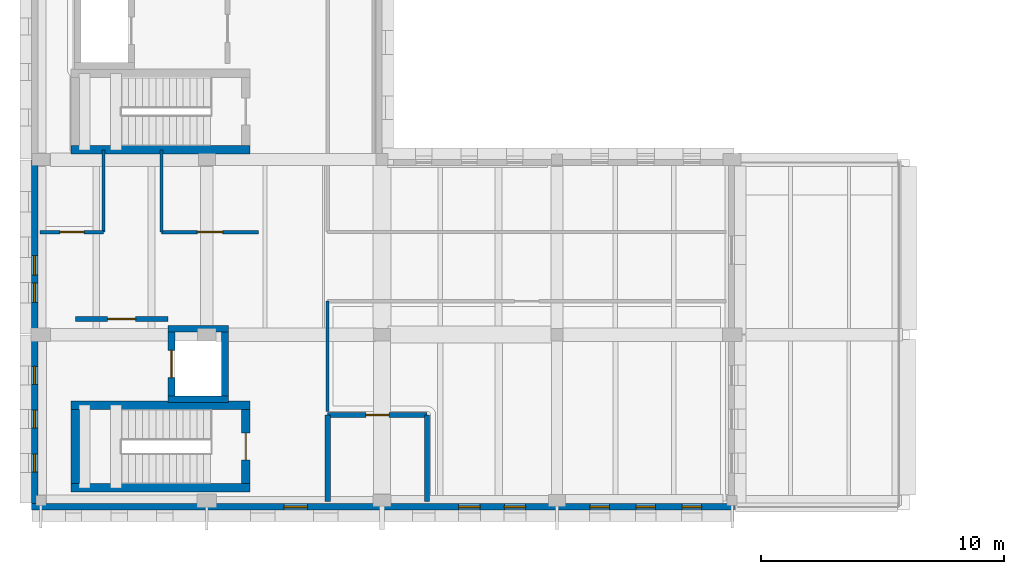
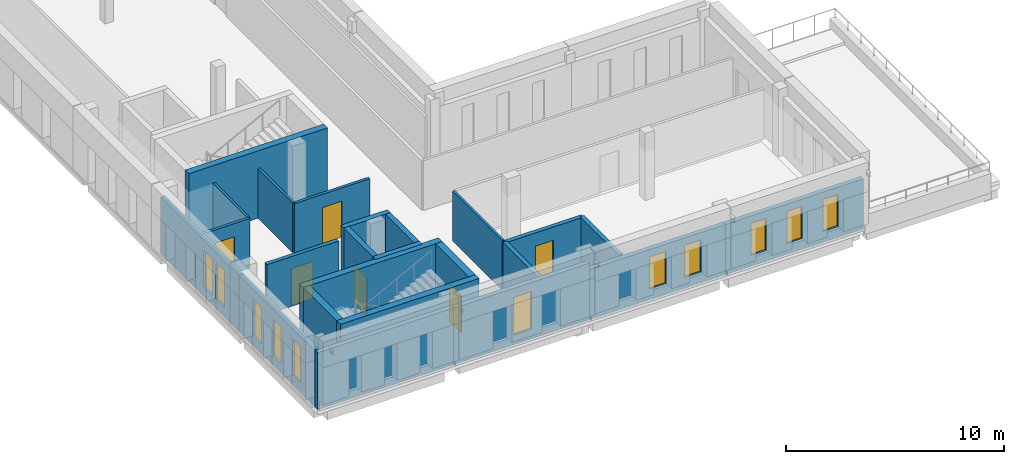
# One storey, part 9 of 15: 24 walls, 11 windows, 6 doors, 17 openings.
"""IFC4 building model written with IfcOpenShell, lengths in metres."""

from ifc_helpers import new_model, si_unit, direction, frame, frame_2d, origin, place, context, subcontext, project, spatial, rectangle, extrude, material, layer, layer_set, type_object, element, fill, save


model = new_model("IFC4")

# Units and contexts
model_context = context("Model", 3, precision=1e-05, world=origin(), true_north=direction((0.0, 1.0)))
body_context = subcontext(model_context, "Body", "Model", "MODEL_VIEW")
ifc_project = project(units=[si_unit("LENGTHUNIT", "METRE"), si_unit("AREAUNIT", "SQUARE_METRE"), si_unit("VOLUMEUNIT", "CUBIC_METRE"), si_unit("PLANEANGLEUNIT", "RADIAN"), si_unit("MASSUNIT", "GRAM", prefix="KILO")], contexts=[model_context])

# Site, building, storey
site_placement = place(None, origin())
site = spatial("IfcSite", under=ifc_project, at=site_placement, CompositionType="ELEMENT")
building_placement = place(site_placement, origin())
building = spatial("IfcBuilding", under=site, at=building_placement, Name="Vardoun Plaza Health Centre", CompositionType="ELEMENT")
storey_placement = place(building_placement, frame((0.0, 0.0, 17.10009765625)))
storey = spatial("IfcBuildingStorey", under=building, at=storey_placement, Name="L04", CompositionType="ELEMENT", Elevation=17.10009765625)

# Wall
ifc_material_1 = material(Name="Concrete C40/50", Category="concrete")
ifc_layer_1 = layer(ifc_material_1, 0.27001953125)
ifc_layer_set_1 = layer_set([ifc_layer_1], Name="Concrete C40/50")
wall_type_1 = type_object("IfcWallType", Name="SW-03", PredefinedType="SHEAR", material=ifc_layer_set_1)
wall_1_placement = place(storey_placement, frame((12.5849609375, 9.050048828125, 0.0), z_axis=(0.0, 0.0, 1.0), x_axis=(-1.0, 0.0, 0.0)))
element("IfcWall", 1, at=wall_1_placement, inside=storey, type_object=wall_type_1, Name="Lift LF-01 L04 Shaft Wall S", PredefinedType="SHEAR", context=body_context, shape_type="SweptSolid", body=[
    extrude(rectangle(XDim=2.469970703125, YDim=0.27001953125, at=frame_2d((1.23486328125, 0.0))), origin(), (0.0, 0.0, 1.0), 3.77001953125),
])

# Wall, opening, door
wall_2_placement = place(storey_placement, frame((10.25, 9.18505859375, 0.0), z_axis=(0.0, 0.0, 1.0), x_axis=(0.0, 1.0, 0.0)))
wall_2 = element("IfcWall", 2, at=wall_2_placement, inside=storey, type_object=wall_type_1, Name="Lift LF-01 L04 Shaft Wall W", PredefinedType="SHEAR", context=body_context, shape_type="SweptSolid", body=[
    extrude(rectangle(XDim=2.6298828125, YDim=0.27001953125, at=frame_2d((1.31494140625, 0.0))), origin(), (0.0, 0.0, 1.0), 3.77001953125),
])
opening_1_placement = place(wall_2_placement, frame((0.7548828125, 0.0, 0.0)))
opening_1 = element("IfcOpeningElement", 3, at=opening_1_placement, cuts=wall_2, Name="Opening LD-LF-01-L04", PredefinedType="OPENING", context=body_context, shape_type="SweptSolid", body=[
    extrude(rectangle(XDim=1.1201171875, YDim=2.10009765625, at=frame_2d((0.56005859375, 1.050048828125))), frame((0.0, 0.135009765625, 0.0), z_axis=(0.0, -1.0, 0.0), x_axis=(1.0, 0.0, 0.0)), (0.0, 0.0, 1.0), 0.27001953125),
])
ifc_material_2 = material(Name="Brushed Stainless Steel Grade 316L", Category="steel")
door_type_1 = type_object("IfcDoorType", Name="LD-01", OperationType="DOUBLE_DOOR_SLIDING", PredefinedType="DOOR", material=ifc_material_2)
door_1_placement = place(opening_1_placement, origin())
door_1 = element("IfcDoor", 4, at=door_1_placement, inside=storey, type_object=door_type_1, Name="Lift LF-01 L04 Sliding Landing Door", OperationType="DOUBLE_DOOR_SLIDING", OverallHeight=2.10009765625, OverallWidth=1.1201171875, PredefinedType="DOOR", context=body_context, shape_type="SweptSolid", body=[
    extrude(rectangle(XDim=1.1201171875, YDim=2.10009765625, at=frame_2d((0.56005859375, 1.050048828125))), frame((0.0, 0.02490234375, 0.0), z_axis=(0.0, -1.0, 0.0), x_axis=(1.0, 0.0, 0.0)), (0.0, 0.0, 1.0), 0.050048828125),
])
fill(opening_1, door_1)

# Walls
wall_3_placement = place(storey_placement, frame((10.114990234375, 11.949951171875, 0.0), z_axis=(0.0, 0.0, 1.0), x_axis=(1.0, 0.0, 0.0)))
element("IfcWall", 5, at=wall_3_placement, inside=storey, type_object=wall_type_1, Name="Lift LF-01 L04 Shaft Wall N", PredefinedType="SHEAR", context=body_context, shape_type="SweptSolid", body=[
    extrude(rectangle(XDim=2.469970703125, YDim=0.27001953125, at=frame_2d((1.23486328125, 0.0))), origin(), (0.0, 0.0, 1.0), 3.77001953125),
])
wall_4_placement = place(storey_placement, frame((12.449951171875, 11.81494140625, 0.0), z_axis=(0.0, 0.0, 1.0), x_axis=(0.0, -1.0, 0.0)))
element("IfcWall", 6, at=wall_4_placement, inside=storey, type_object=wall_type_1, Name="Lift LF-01 L04 Shaft Wall E", PredefinedType="SHEAR", context=body_context, shape_type="SweptSolid", body=[
    extrude(rectangle(XDim=2.6298828125, YDim=0.27001953125, at=frame_2d((1.31494140625, 0.0))), origin(), (0.0, 0.0, 1.0), 3.77001953125),
])
ifc_material_3 = material(Name="Concrete C40/50", Category="concrete")
ifc_layer_2 = layer(ifc_material_3, 0.35009765625)
ifc_layer_set_2 = layer_set([ifc_layer_2], Name="Concrete C40/50")
wall_type_2 = type_object("IfcWallType", Name="SW-02", PredefinedType="SHEAR", material=ifc_layer_set_2)
wall_5_placement = place(storey_placement, frame((13.47509765625, 5.39990234375, 0.0), z_axis=(0.0, 0.0, 1.0), x_axis=(-1.0, 0.0, 0.0)))
element("IfcWall", 7, at=wall_5_placement, inside=storey, type_object=wall_type_2, Name="Core C1 L04 Shear Wall S", PredefinedType="SHEAR", context=body_context, shape_type="SweptSolid", body=[
    extrude(rectangle(XDim=7.35009765625, YDim=0.35009765625, at=frame_2d((3.675048828125, 0.0))), origin(), (0.0, 0.0, 1.0), 3.77001953125),
])
wall_6_placement = place(storey_placement, frame((6.300048828125, 5.574951171875, 0.0), z_axis=(0.0, 0.0, 1.0), x_axis=(0.0, 1.0, 0.0)))
element("IfcWall", 8, at=wall_6_placement, inside=storey, type_object=wall_type_2, Name="Core C1 L04 Shear Wall W", PredefinedType="SHEAR", context=body_context, shape_type="SweptSolid", body=[
    extrude(rectangle(XDim=3.050048828125, YDim=0.35009765625, at=frame_2d((1.52490234375, 0.0))), origin(), (0.0, 0.0, 1.0), 3.77001953125),
])
wall_7_placement = place(storey_placement, frame((6.125, 8.800048828125, 0.0), z_axis=(0.0, 0.0, 1.0), x_axis=(1.0, 0.0, 0.0)))
element("IfcWall", 9, at=wall_7_placement, inside=storey, type_object=wall_type_2, Name="Core C1 L04 Shear Wall N", PredefinedType="SHEAR", context=body_context, shape_type="SweptSolid", body=[
    extrude(rectangle(XDim=7.35009765625, YDim=0.35009765625, at=frame_2d((3.675048828125, 0.0))), origin(), (0.0, 0.0, 1.0), 3.77001953125),
])

# Wall, opening, door
wall_8_placement = place(storey_placement, frame((13.300048828125, 8.625, 0.0), z_axis=(0.0, 0.0, 1.0), x_axis=(0.0, -1.0, 0.0)))
wall_8 = element("IfcWall", 10, at=wall_8_placement, inside=storey, type_object=wall_type_2, Name="Core C1 L04 Shear Wall E", PredefinedType="SHEAR", context=body_context, shape_type="SweptSolid", body=[
    extrude(rectangle(XDim=3.050048828125, YDim=0.35009765625, at=frame_2d((1.52490234375, 0.0))), origin(), (0.0, 0.0, 1.0), 3.77001953125),
])
opening_2_placement = place(wall_8_placement, frame((0.97509765625, 0.0, 0.0)))
opening_2 = element("IfcOpeningElement", 11, at=opening_2_placement, cuts=wall_8, Name="Opening SD-C1-L04", PredefinedType="OPENING", context=body_context, shape_type="SweptSolid", body=[
    extrude(rectangle(XDim=1.10009765625, YDim=2.050048828125, at=frame_2d((0.550048828125, 1.02490234375))), frame((0.0, 0.175048828125, 0.0), z_axis=(0.0, -1.0, 0.0), x_axis=(1.0, 0.0, 0.0)), (0.0, 0.0, 1.0), 0.35009765625),
])
ifc_material_4 = material(Name="Brushed Stainless Steel Grade 316L", Category="steel")
door_type_2 = type_object("IfcDoorType", Name="FD-01", OperationType="NOTDEFINED", PredefinedType="DOOR", material=ifc_material_4)
door_2_placement = place(opening_2_placement, origin())
door_2 = element("IfcDoor", 12, at=door_2_placement, inside=storey, type_object=door_type_2, Name="Stair C1 L04 Fire Door", OperationType="SINGLE_SWING_LEFT", OverallHeight=2.050048828125, OverallWidth=1.10009765625, PredefinedType="DOOR", context=body_context, shape_type="SweptSolid", body=[
    extrude(rectangle(XDim=1.10009765625, YDim=2.050048828125, at=frame_2d((0.550048828125, 1.02490234375))), frame((0.0, 0.02490234375, 0.0), z_axis=(0.0, -1.0, 0.0), x_axis=(1.0, 0.0, 0.0)), (0.0, 0.0, 1.0), 0.050048828125),
])
fill(opening_2, door_2)

# Wall
wall_9_placement = place(storey_placement, frame((13.47509765625, 19.300048828125, 0.0), z_axis=(0.0, 0.0, 1.0), x_axis=(-1.0, 0.0, 0.0)))
element("IfcWall", 13, at=wall_9_placement, inside=storey, type_object=wall_type_2, Name="Core C2 L04 Shear Wall S", PredefinedType="SHEAR", context=body_context, shape_type="SweptSolid", body=[
    extrude(rectangle(XDim=7.35009765625, YDim=0.35009765625, at=frame_2d((3.675048828125, 0.0))), origin(), (0.0, 0.0, 1.0), 3.77001953125),
])

# Wall, openings, windows
ifc_material_5 = material(Name="Pale Limestone Concrete C35/45", Category="masonry")
ifc_layer_3 = layer(ifc_material_5, 0.25)
ifc_layer_set_3 = layer_set([ifc_layer_3], Name="Pale Limestone Concrete C35/45")
wall_type_3 = type_object("IfcWallType", Name="EW-07", PredefinedType="STANDARD", material=ifc_layer_set_3)
wall_10_placement = place(storey_placement, frame((33.39990234375, 4.625, 0.0), z_axis=(0.0, 0.0, 1.0), x_axis=(-1.0, 0.0, 0.0)))
wall_10 = element("IfcWall", 14, at=wall_10_placement, inside=storey, type_object=wall_type_3, Name="V2 L04 Exterior Wall EW-V2-188", PredefinedType="STANDARD", context=body_context, shape_type="SweptSolid", body=[
    extrude(rectangle(XDim=7.2998046875, YDim=0.25, at=frame_2d((3.64990234375, 0.0))), origin(), (0.0, 0.0, 1.0), 2.804931640625),
])
opening_3_placement = place(wall_10_placement, frame((1.35205078125, 0.0, 0.60009765625)))
opening_3 = element("IfcOpeningElement", 15, at=opening_3_placement, cuts=wall_10, Name="Opening W-27-011", PredefinedType="OPENING", context=body_context, shape_type="SweptSolid", body=[
    extrude(rectangle(XDim=0.800048828125, YDim=1.800048828125, at=frame_2d((0.39990234375, 0.89990234375))), frame((0.0, 0.125, 0.0), z_axis=(0.0, -1.0, 0.0), x_axis=(1.0, 0.0, 0.0)), (0.0, 0.0, 1.0), 0.25),
])
opening_4_placement = place(wall_10_placement, frame((3.25, 0.0, 0.60009765625)))
opening_4 = element("IfcOpeningElement", 16, at=opening_4_placement, cuts=wall_10, Name="Opening W-27-012", PredefinedType="OPENING", context=body_context, shape_type="SweptSolid", body=[
    extrude(rectangle(XDim=0.800048828125, YDim=1.800048828125, at=frame_2d((0.39990234375, 0.89990234375))), frame((0.0, 0.125, 0.0), z_axis=(0.0, -1.0, 0.0), x_axis=(1.0, 0.0, 0.0)), (0.0, 0.0, 1.0), 0.25),
])
opening_5_placement = place(wall_10_placement, frame((5.14794921875, 0.0, 0.60009765625)))
opening_5 = element("IfcOpeningElement", 17, at=opening_5_placement, cuts=wall_10, Name="Opening W-27-013", PredefinedType="OPENING", context=body_context, shape_type="SweptSolid", body=[
    extrude(rectangle(XDim=0.800048828125, YDim=1.800048828125, at=frame_2d((0.39990234375, 0.89990234375))), frame((0.0, 0.125, 0.0), z_axis=(0.0, -1.0, 0.0), x_axis=(1.0, 0.0, 0.0)), (0.0, 0.0, 1.0), 0.25),
])
ifc_material_6 = material(Name="Aluminium Alloy EN AW-6063-T6 and Low-E Glass", Category="aluminium")
window_type_1 = type_object("IfcWindowType", Name="W-27", PartitioningType="SINGLE_PANEL", PredefinedType="WINDOW", material=ifc_material_6)
window_1_placement = place(opening_3_placement, origin())
window_1 = element("IfcWindow", 18, at=window_1_placement, inside=storey, type_object=window_type_1, Name="V2 L04 Deep-Punched Slot Window W-27-265", OverallHeight=1.800048828125, OverallWidth=0.800048828125, PartitioningType="SINGLE_PANEL", PredefinedType="WINDOW", context=body_context, shape_type="SweptSolid", body=[
    extrude(rectangle(XDim=0.800048828125, YDim=1.800048828125, at=frame_2d((0.39990234375, 0.89990234375))), frame((0.0, 0.030029296875, 0.0), z_axis=(0.0, -1.0, 0.0), x_axis=(1.0, 0.0, 0.0)), (0.0, 0.0, 1.0), 0.06005859375),
])
fill(opening_3, window_1)
window_2_placement = place(opening_4_placement, origin())
window_2 = element("IfcWindow", 19, at=window_2_placement, inside=storey, type_object=window_type_1, Name="V2 L04 Deep-Punched Slot Window W-27-266", OverallHeight=1.800048828125, OverallWidth=0.800048828125, PartitioningType="SINGLE_PANEL", PredefinedType="WINDOW", context=body_context, shape_type="SweptSolid", body=[
    extrude(rectangle(XDim=0.800048828125, YDim=1.800048828125, at=frame_2d((0.39990234375, 0.89990234375))), frame((0.0, 0.030029296875, 0.0), z_axis=(0.0, -1.0, 0.0), x_axis=(1.0, 0.0, 0.0)), (0.0, 0.0, 1.0), 0.06005859375),
])
fill(opening_4, window_2)
window_3_placement = place(opening_5_placement, origin())
window_3 = element("IfcWindow", 20, at=window_3_placement, inside=storey, type_object=window_type_1, Name="V2 L04 Deep-Punched Slot Window W-27-267", OverallHeight=1.800048828125, OverallWidth=0.800048828125, PartitioningType="SINGLE_PANEL", PredefinedType="WINDOW", context=body_context, shape_type="SweptSolid", body=[
    extrude(rectangle(XDim=0.800048828125, YDim=1.800048828125, at=frame_2d((0.39990234375, 0.89990234375))), frame((0.0, 0.030029296875, 0.0), z_axis=(0.0, -1.0, 0.0), x_axis=(1.0, 0.0, 0.0)), (0.0, 0.0, 1.0), 0.06005859375),
])
fill(opening_5, window_3)

wall_11_placement = place(storey_placement, frame((26.10009765625, 4.625, 0.0), z_axis=(0.0, 0.0, 1.0), x_axis=(-1.0, 0.0, 0.0)))
wall_11 = element("IfcWall", 21, at=wall_11_placement, inside=storey, type_object=wall_type_3, Name="V2 L04 Exterior Wall EW-V2-189", PredefinedType="STANDARD", context=body_context, shape_type="SweptSolid", body=[
    extrude(rectangle(XDim=7.2001953125, YDim=0.25, at=frame_2d((3.60009765625, 0.0))), origin(), (0.0, 0.0, 1.0), 2.804931640625),
])
opening_6_placement = place(wall_11_placement, frame((1.2880859375, 0.0, 0.60009765625)))
opening_6 = element("IfcOpeningElement", 22, at=opening_6_placement, cuts=wall_11, Name="Opening W-28-008", PredefinedType="OPENING", context=body_context, shape_type="SweptSolid", body=[
    extrude(rectangle(XDim=0.8798828125, YDim=1.800048828125, at=frame_2d((0.43994140625, 0.89990234375))), frame((0.0, 0.125, 0.0), z_axis=(0.0, -1.0, 0.0), x_axis=(1.0, 0.0, 0.0)), (0.0, 0.0, 1.0), 0.25),
])
opening_7_placement = place(wall_11_placement, frame((3.159912109375, 0.0, 0.60009765625)))
opening_7 = element("IfcOpeningElement", 23, at=opening_7_placement, cuts=wall_11, Name="Opening W-28-009", PredefinedType="OPENING", context=body_context, shape_type="SweptSolid", body=[
    extrude(rectangle(XDim=0.8798828125, YDim=1.800048828125, at=frame_2d((0.43994140625, 0.89990234375))), frame((0.0, 0.125, 0.0), z_axis=(0.0, -1.0, 0.0), x_axis=(1.0, 0.0, 0.0)), (0.0, 0.0, 1.0), 0.25),
])
ifc_material_7 = material(Name="Aluminium Alloy EN AW-6063-T6 and Low-E Glass", Category="aluminium")
window_type_2 = type_object("IfcWindowType", Name="W-28", PartitioningType="SINGLE_PANEL", PredefinedType="WINDOW", material=ifc_material_7)
window_4_placement = place(opening_6_placement, origin())
window_4 = element("IfcWindow", 24, at=window_4_placement, inside=storey, type_object=window_type_2, Name="V2 L04 Deep-Punched Slot Window W-28-268", OverallHeight=1.800048828125, OverallWidth=0.8798828125, PartitioningType="SINGLE_PANEL", PredefinedType="WINDOW", context=body_context, shape_type="SweptSolid", body=[
    extrude(rectangle(XDim=0.8798828125, YDim=1.800048828125, at=frame_2d((0.43994140625, 0.89990234375))), frame((0.0, 0.030029296875, 0.0), z_axis=(0.0, -1.0, 0.0), x_axis=(1.0, 0.0, 0.0)), (0.0, 0.0, 1.0), 0.06005859375),
])
fill(opening_6, window_4)
window_5_placement = place(opening_7_placement, origin())
window_5 = element("IfcWindow", 25, at=window_5_placement, inside=storey, type_object=window_type_2, Name="V2 L04 Deep-Punched Slot Window W-28-269", OverallHeight=1.800048828125, OverallWidth=0.8798828125, PartitioningType="SINGLE_PANEL", PredefinedType="WINDOW", context=body_context, shape_type="SweptSolid", body=[
    extrude(rectangle(XDim=0.8798828125, YDim=1.800048828125, at=frame_2d((0.43994140625, 0.89990234375))), frame((0.0, 0.030029296875, 0.0), z_axis=(0.0, -1.0, 0.0), x_axis=(1.0, 0.0, 0.0)), (0.0, 0.0, 1.0), 0.06005859375),
])
fill(opening_7, window_5)

# Wall, opening, window
wall_12_placement = place(storey_placement, frame((18.89990234375, 4.625, 0.0), z_axis=(0.0, 0.0, 1.0), x_axis=(-1.0, 0.0, 0.0)))
wall_12 = element("IfcWall", 26, at=wall_12_placement, inside=storey, type_object=wall_type_3, Name="V2 L04 Exterior Wall EW-V2-190", PredefinedType="STANDARD", context=body_context, shape_type="SweptSolid", body=[
    extrude(rectangle(XDim=7.199951171875, YDim=0.25, at=frame_2d((3.60009765625, 0.0))), origin(), (0.0, 0.0, 1.0), 3.15478515625),
])
opening_8_placement = place(wall_12_placement, frame((3.06591796875, 0.0, 0.550048828125)))
opening_8 = element("IfcOpeningElement", 27, at=opening_8_placement, cuts=wall_12, Name="Opening W-20-005", PredefinedType="OPENING", context=body_context, shape_type="SweptSolid", body=[
    extrude(rectangle(XDim=0.9599609375, YDim=2.10009765625, at=frame_2d((0.47998046875, 1.050048828125))), frame((0.0, 0.125, 0.0), z_axis=(0.0, -1.0, 0.0), x_axis=(1.0, 0.0, 0.0)), (0.0, 0.0, 1.0), 0.25),
])
ifc_material_8 = material(Name="Aluminium Alloy EN AW-6063-T6 and Low-E Glass", Category="aluminium")
window_type_3 = type_object("IfcWindowType", Name="W-20", PartitioningType="DOUBLE_PANEL_VERTICAL", PredefinedType="WINDOW", material=ifc_material_8)
window_6_placement = place(opening_8_placement, origin())
window_6 = element("IfcWindow", 28, at=window_6_placement, inside=storey, type_object=window_type_3, Name="V2 L04 Deep-Punched Slot Window W-20-272", OverallHeight=2.10009765625, OverallWidth=0.9599609375, PartitioningType="DOUBLE_PANEL_VERTICAL", PredefinedType="WINDOW", context=body_context, shape_type="SweptSolid", body=[
    extrude(rectangle(XDim=0.9599609375, YDim=2.10009765625, at=frame_2d((0.47998046875, 1.050048828125))), frame((0.0, 0.030029296875, 0.0), z_axis=(0.0, -1.0, 0.0), x_axis=(1.0, 0.0, 0.0)), (0.0, 0.0, 1.0), 0.06005859375),
])
fill(opening_8, window_6)

# Wall
wall_13_placement = place(storey_placement, frame((11.699951171875, 4.625, 0.0), z_axis=(0.0, 0.0, 1.0), x_axis=(-1.0, 0.0, 0.0)))
element("IfcWall", 29, at=wall_13_placement, inside=storey, type_object=wall_type_3, Name="V2 L04 Exterior Wall EW-V2-191", PredefinedType="STANDARD", context=body_context, shape_type="SweptSolid", body=[
    extrude(rectangle(XDim=7.199951171875, YDim=0.25, at=frame_2d((3.60009765625, 0.0))), origin(), (0.0, 0.0, 1.0), 3.1748046875),
])

# Wall, openings, windows
wall_14_placement = place(storey_placement, frame((4.625, 4.75, 0.0), z_axis=(0.0, 0.0, 1.0), x_axis=(0.0, 1.0, 0.0)))
wall_14 = element("IfcWall", 30, at=wall_14_placement, inside=storey, type_object=wall_type_3, Name="V2 L04 Exterior Wall EW-V2-192", PredefinedType="STANDARD", context=body_context, shape_type="SweptSolid", body=[
    extrude(rectangle(XDim=6.949951171875, YDim=0.25, at=frame_2d((3.47509765625, 0.0))), origin(), (0.0, 0.0, 1.0), 3.1748046875),
])
opening_9_placement = place(wall_14_placement, frame((1.298095703125, 0.0, 0.550048828125)))
opening_9 = element("IfcOpeningElement", 31, at=opening_9_placement, cuts=wall_14, Name="Opening W-23-002", PredefinedType="OPENING", context=body_context, shape_type="SweptSolid", body=[
    extrude(rectangle(XDim=0.739990234375, YDim=2.0400390625, at=frame_2d((0.3701171875, 1.02001953125))), frame((0.0, 0.125, 0.0), z_axis=(0.0, -1.0, 0.0), x_axis=(1.0, 0.0, 0.0)), (0.0, 0.0, 1.0), 0.25),
])
opening_10_placement = place(wall_14_placement, frame((3.10498046875, 0.0, 0.550048828125)))
opening_10 = element("IfcOpeningElement", 32, at=opening_10_placement, cuts=wall_14, Name="Opening W-23-003", PredefinedType="OPENING", context=body_context, shape_type="SweptSolid", body=[
    extrude(rectangle(XDim=0.739990234375, YDim=2.0400390625, at=frame_2d((0.3701171875, 1.02001953125))), frame((0.0, 0.125, 0.0), z_axis=(0.0, -1.0, 0.0), x_axis=(1.0, 0.0, 0.0)), (0.0, 0.0, 1.0), 0.25),
])
opening_11_placement = place(wall_14_placement, frame((4.912109375, 0.0, 0.550048828125)))
opening_11 = element("IfcOpeningElement", 33, at=opening_11_placement, cuts=wall_14, Name="Opening W-23-004", PredefinedType="OPENING", context=body_context, shape_type="SweptSolid", body=[
    extrude(rectangle(XDim=0.739990234375, YDim=2.0400390625, at=frame_2d((0.3701171875, 1.02001953125))), frame((0.0, 0.125, 0.0), z_axis=(0.0, -1.0, 0.0), x_axis=(1.0, 0.0, 0.0)), (0.0, 0.0, 1.0), 0.25),
])
ifc_material_9 = material(Name="Aluminium Alloy EN AW-6063-T6 and Low-E Glass", Category="aluminium")
window_type_4 = type_object("IfcWindowType", Name="W-23", PartitioningType="SINGLE_PANEL", PredefinedType="WINDOW", material=ifc_material_9)
window_7_placement = place(opening_9_placement, origin())
window_7 = element("IfcWindow", 34, at=window_7_placement, inside=storey, type_object=window_type_4, Name="V2 L04 Deep-Punched Slot Window W-23-276", OverallHeight=2.0400390625, OverallWidth=0.739990234375, PartitioningType="SINGLE_PANEL", PredefinedType="WINDOW", context=body_context, shape_type="SweptSolid", body=[
    extrude(rectangle(XDim=0.739990234375, YDim=2.0400390625, at=frame_2d((0.3701171875, 1.02001953125))), frame((0.0, 0.030029296875, 0.0), z_axis=(0.0, -1.0, 0.0), x_axis=(1.0, 0.0, 0.0)), (0.0, 0.0, 1.0), 0.06005859375),
])
fill(opening_9, window_7)
window_8_placement = place(opening_10_placement, origin())
window_8 = element("IfcWindow", 35, at=window_8_placement, inside=storey, type_object=window_type_4, Name="V2 L04 Deep-Punched Slot Window W-23-277", OverallHeight=2.0400390625, OverallWidth=0.739990234375, PartitioningType="SINGLE_PANEL", PredefinedType="WINDOW", context=body_context, shape_type="SweptSolid", body=[
    extrude(rectangle(XDim=0.739990234375, YDim=2.0400390625, at=frame_2d((0.3701171875, 1.02001953125))), frame((0.0, 0.030029296875, 0.0), z_axis=(0.0, -1.0, 0.0), x_axis=(1.0, 0.0, 0.0)), (0.0, 0.0, 1.0), 0.06005859375),
])
fill(opening_10, window_8)
window_9_placement = place(opening_11_placement, origin())
window_9 = element("IfcWindow", 36, at=window_9_placement, inside=storey, type_object=window_type_4, Name="V2 L04 Deep-Punched Slot Window W-23-278", OverallHeight=2.0400390625, OverallWidth=0.739990234375, PartitioningType="SINGLE_PANEL", PredefinedType="WINDOW", context=body_context, shape_type="SweptSolid", body=[
    extrude(rectangle(XDim=0.739990234375, YDim=2.0400390625, at=frame_2d((0.3701171875, 1.02001953125))), frame((0.0, 0.030029296875, 0.0), z_axis=(0.0, -1.0, 0.0), x_axis=(1.0, 0.0, 0.0)), (0.0, 0.0, 1.0), 0.06005859375),
])
fill(opening_11, window_9)

wall_15_placement = place(storey_placement, frame((4.625, 11.699951171875, 0.0), z_axis=(0.0, 0.0, 1.0), x_axis=(0.0, 1.0, 0.0)))
wall_15 = element("IfcWall", 37, at=wall_15_placement, inside=storey, type_object=wall_type_3, Name="V2 L04 Exterior Wall EW-V2-193", PredefinedType="STANDARD", context=body_context, shape_type="SweptSolid", body=[
    extrude(rectangle(XDim=7.199951171875, YDim=0.25, at=frame_2d((3.60009765625, 0.0))), origin(), (0.0, 0.0, 1.0), 3.1748046875),
])
opening_12_placement = place(wall_15_placement, frame((1.327880859375, 0.0, 0.550048828125)))
opening_12 = element("IfcOpeningElement", 38, at=opening_12_placement, cuts=wall_15, Name="Opening W-24-004", PredefinedType="OPENING", context=body_context, shape_type="SweptSolid", body=[
    extrude(rectangle(XDim=0.800048828125, YDim=2.0400390625, at=frame_2d((0.39990234375, 1.02001953125))), frame((0.0, 0.125, 0.0), z_axis=(0.0, -1.0, 0.0), x_axis=(1.0, 0.0, 0.0)), (0.0, 0.0, 1.0), 0.25),
])
opening_13_placement = place(wall_15_placement, frame((2.449951171875, 0.0, 0.550048828125)))
opening_13 = element("IfcOpeningElement", 39, at=opening_13_placement, cuts=wall_15, Name="Opening W-24-005", PredefinedType="OPENING", context=body_context, shape_type="SweptSolid", body=[
    extrude(rectangle(XDim=0.800048828125, YDim=2.0400390625, at=frame_2d((0.39990234375, 1.02001953125))), frame((0.0, 0.125, 0.0), z_axis=(0.0, -1.0, 0.0), x_axis=(1.0, 0.0, 0.0)), (0.0, 0.0, 1.0), 0.25),
])
ifc_material_10 = material(Name="Aluminium Alloy EN AW-6063-T6 and Low-E Glass", Category="aluminium")
window_type_5 = type_object("IfcWindowType", Name="W-24", PartitioningType="SINGLE_PANEL", PredefinedType="WINDOW", material=ifc_material_10)
window_10_placement = place(opening_12_placement, origin())
window_10 = element("IfcWindow", 40, at=window_10_placement, inside=storey, type_object=window_type_5, Name="V2 L04 Deep-Punched Slot Window W-24-279", OverallHeight=2.0400390625, OverallWidth=0.800048828125, PartitioningType="SINGLE_PANEL", PredefinedType="WINDOW", context=body_context, shape_type="SweptSolid", body=[
    extrude(rectangle(XDim=0.800048828125, YDim=2.0400390625, at=frame_2d((0.39990234375, 1.02001953125))), frame((0.0, 0.030029296875, 0.0), z_axis=(0.0, -1.0, 0.0), x_axis=(1.0, 0.0, 0.0)), (0.0, 0.0, 1.0), 0.06005859375),
])
fill(opening_12, window_10)
window_11_placement = place(opening_13_placement, origin())
window_11 = element("IfcWindow", 41, at=window_11_placement, inside=storey, type_object=window_type_5, Name="V2 L04 Deep-Punched Slot Window W-24-280", OverallHeight=2.0400390625, OverallWidth=0.800048828125, PartitioningType="SINGLE_PANEL", PredefinedType="WINDOW", context=body_context, shape_type="SweptSolid", body=[
    extrude(rectangle(XDim=0.800048828125, YDim=2.0400390625, at=frame_2d((0.39990234375, 1.02001953125))), frame((0.0, 0.030029296875, 0.0), z_axis=(0.0, -1.0, 0.0), x_axis=(1.0, 0.0, 0.0)), (0.0, 0.0, 1.0), 0.06005859375),
])
fill(opening_13, window_11)

# Wall, opening, door
ifc_material_11 = material(Name="Acoustic Gypsum Twin-Stud", Category="steel")
ifc_layer_4 = layer(ifc_material_11, 0.14990234375)
ifc_layer_set_4 = layer_set([ifc_layer_4], Name="Acoustic Gypsum Twin-Stud")
wall_type_4 = type_object("IfcWallType", Name="IW-04", PredefinedType="PARTITIONING", material=ifc_layer_set_4)
wall_16_placement = place(storey_placement, frame((13.830078125, 15.919921875, 0.0), z_axis=(0.0, 0.0, 1.0), x_axis=(-1.0, 0.0, 0.0)))
wall_16 = element("IfcWall", 42, at=wall_16_placement, inside=storey, type_object=wall_type_4, Name="Cardiology Consulting Room 41 Partition Wall", PredefinedType="PARTITIONING", context=body_context, shape_type="SweptSolid", body=[
    extrude(rectangle(XDim=3.989990234375, YDim=0.14990234375, at=frame_2d((1.9951171875, 0.0))), origin(), (0.0, 0.0, 1.0), 2.789794921875),
])
opening_14_placement = place(wall_16_placement, frame((1.47509765625, 0.0, 0.0)))
opening_14 = element("IfcOpeningElement", 43, at=opening_14_placement, cuts=wall_16, Name="Opening D-L04-058", PredefinedType="OPENING", context=body_context, shape_type="SweptSolid", body=[
    extrude(rectangle(XDim=1.0400390625, YDim=2.050048828125, at=frame_2d((0.52001953125, 1.02490234375))), frame((0.0, 0.074951171875, 0.0), z_axis=(0.0, -1.0, 0.0), x_axis=(1.0, 0.0, 0.0)), (0.0, 0.0, 1.0), 0.14990234375),
])
ifc_material_12 = material(Name="Antimicrobial Acoustic Timber and Steel S275JR", Category="steel")
door_type_3 = type_object("IfcDoorType", Name="CD-04", OperationType="NOTDEFINED", PredefinedType="DOOR", material=ifc_material_12)
door_3_placement = place(opening_14_placement, origin())
door_3 = element("IfcDoor", 44, at=door_3_placement, inside=storey, type_object=door_type_3, Name="Cardiology Consulting Room 41 Door D-L04-058", OperationType="SINGLE_SWING_RIGHT", OverallHeight=2.050048828125, OverallWidth=1.0400390625, PredefinedType="DOOR", context=body_context, shape_type="SweptSolid", body=[
    extrude(rectangle(XDim=1.0400390625, YDim=2.050048828125, at=frame_2d((0.52001953125, 1.02490234375))), frame((0.0, 0.02490234375, 0.0), z_axis=(0.0, -1.0, 0.0), x_axis=(1.0, 0.0, 0.0)), (0.0, 0.0, 1.0), 0.050048828125),
])
fill(opening_14, door_3)

wall_17_placement = place(storey_placement, frame((7.4599609375, 15.919921875, 0.0), z_axis=(0.0, 0.0, 1.0), x_axis=(-1.0, 0.0, 0.0)))
wall_17 = element("IfcWall", 45, at=wall_17_placement, inside=storey, type_object=wall_type_4, Name="Terrace Waiting Lounge L04 Partition Wall", PredefinedType="PARTITIONING", context=body_context, shape_type="SweptSolid", body=[
    extrude(rectangle(XDim=2.60986328125, YDim=0.14990234375, at=frame_2d((1.304931640625, 0.0))), origin(), (0.0, 0.0, 1.0), 2.789794921875),
])
opening_15_placement = place(wall_17_placement, frame((0.804931640625, 0.0, 0.0)))
opening_15 = element("IfcOpeningElement", 46, at=opening_15_placement, cuts=wall_17, Name="Opening D-L04-061", PredefinedType="OPENING", context=body_context, shape_type="SweptSolid", body=[
    extrude(rectangle(XDim=1.0, YDim=2.050048828125, at=frame_2d((0.5, 1.02490234375))), frame((0.0, 0.074951171875, 0.0), z_axis=(0.0, -1.0, 0.0), x_axis=(1.0, 0.0, 0.0)), (0.0, 0.0, 1.0), 0.14990234375),
])
ifc_material_13 = material(Name="Antimicrobial Acoustic Timber and Steel S275JR", Category="steel")
door_type_4 = type_object("IfcDoorType", Name="CD-03", OperationType="NOTDEFINED", PredefinedType="DOOR", material=ifc_material_13)
door_4_placement = place(opening_15_placement, origin())
door_4 = element("IfcDoor", 47, at=door_4_placement, inside=storey, type_object=door_type_4, Name="Terrace Waiting Lounge L04 Door D-L04-061", OperationType="SINGLE_SWING_LEFT", OverallHeight=2.050048828125, OverallWidth=1.0, PredefinedType="DOOR", context=body_context, shape_type="SweptSolid", body=[
    extrude(rectangle(XDim=1.0, YDim=2.050048828125, at=frame_2d((0.5, 1.02490234375))), frame((0.0, 0.02490234375, 0.0), z_axis=(0.0, -1.0, 0.0), x_axis=(1.0, 0.0, 0.0)), (0.0, 0.0, 1.0), 0.050048828125),
])
fill(opening_15, door_4)

# Walls
ifc_material_14 = material(Name="Standard Clinical Sub-Partition", Category="steel")
ifc_layer_5 = layer(ifc_material_14, 0.125)
ifc_layer_set_5 = layer_set([ifc_layer_5], Name="Standard Clinical Sub-Partition")
wall_type_5 = type_object("IfcWallType", Name="IW-11", PredefinedType="PARTITIONING", material=ifc_layer_set_5)
wall_18_placement = place(storey_placement, frame((9.840087890625, 15.919921875, 0.0), z_axis=(0.0, 0.0, 1.0), x_axis=(0.0, 1.0, 0.0)))
element("IfcWall", 48, at=wall_18_placement, inside=storey, type_object=wall_type_5, Name="Cardiology Consulting Room 41 Enclosure Partition", PredefinedType="PARTITIONING", context=body_context, shape_type="SweptSolid", body=[
    extrude(rectangle(XDim=3.380126953125, YDim=0.125, at=frame_2d((1.68994140625, 0.0))), origin(), (0.0, 0.0, 1.0), 2.789794921875),
])
wall_19_placement = place(storey_placement, frame((16.669921875, 8.541015625, 0.0), z_axis=(0.0, 0.0, 1.0), x_axis=(0.0, 1.0, 0.0)))
element("IfcWall", 49, at=wall_19_placement, inside=storey, type_object=wall_type_5, Name="Neurology Consulting Room 42 Enclosure Partition", PredefinedType="PARTITIONING", context=body_context, shape_type="SweptSolid", body=[
    extrude(rectangle(XDim=4.5390625, YDim=0.125, at=frame_2d((2.26953125, 0.0))), origin(), (0.0, 0.0, 1.0), 2.789794921875),
])
wall_20_placement = place(storey_placement, frame((7.4599609375, 19.300048828125, 0.0), z_axis=(0.0, 0.0, 1.0), x_axis=(0.0, -1.0, 0.0)))
element("IfcWall", 50, at=wall_20_placement, inside=storey, type_object=wall_type_5, Name="Terrace Waiting Lounge L04 Enclosure Partition", PredefinedType="PARTITIONING", context=body_context, shape_type="SweptSolid", body=[
    extrude(rectangle(XDim=3.380126953125, YDim=0.125, at=frame_2d((1.68994140625, 0.0))), origin(), (0.0, 0.0, 1.0), 2.789794921875),
])

# Wall, opening, door
ifc_material_15 = material(Name="Concrete C35/45", Category="concrete")
ifc_layer_6 = layer(ifc_material_15, 0.199951171875)
ifc_layer_set_6 = layer_set([ifc_layer_6], Name="Concrete C35/45")
wall_type_6 = type_object("IfcWallType", Name="IW-01", PredefinedType="SOLIDWALL", material=ifc_layer_set_6)
wall_21_placement = place(storey_placement, frame((6.300048828125, 12.35009765625, 0.0), z_axis=(0.0, 0.0, 1.0), x_axis=(1.0, 0.0, 0.0)))
wall_21 = element("IfcWall", 51, at=wall_21_placement, inside=storey, type_object=wall_type_6, Name="Firefighting Lobby C1 L04 Wall", PredefinedType="SOLIDWALL", context=body_context, shape_type="SweptSolid", body=[
    extrude(rectangle(XDim=3.800048828125, YDim=0.199951171875, at=frame_2d((1.89990234375, 0.0))), origin(), (0.0, 0.0, 1.0), 2.789794921875),
])
opening_16_placement = place(wall_21_placement, frame((1.324951171875, 0.0, 0.0)))
opening_16 = element("IfcOpeningElement", 52, at=opening_16_placement, cuts=wall_21, Name="Opening FD-FF-C1-L04", PredefinedType="OPENING", context=body_context, shape_type="SweptSolid", body=[
    extrude(rectangle(XDim=1.14990234375, YDim=2.050048828125, at=frame_2d((0.574951171875, 1.02490234375))), frame((0.0, 0.10009765625, 0.0), z_axis=(0.0, -1.0, 0.0), x_axis=(1.0, 0.0, 0.0)), (0.0, 0.0, 1.0), 0.199951171875),
])
ifc_material_16 = material(Name="Antimicrobial Acoustic Timber and Steel S275JR", Category="steel")
door_type_5 = type_object("IfcDoorType", Name="FD-02", OperationType="NOTDEFINED", PredefinedType="DOOR", material=ifc_material_16)
door_5_placement = place(opening_16_placement, origin())
door_5 = element("IfcDoor", 53, at=door_5_placement, inside=storey, type_object=door_type_5, Name="Firefighting Lobby C1 L04 Fire Door", OperationType="SINGLE_SWING_RIGHT", OverallHeight=2.050048828125, OverallWidth=1.14990234375, PredefinedType="DOOR", context=body_context, shape_type="SweptSolid", body=[
    extrude(rectangle(XDim=1.14990234375, YDim=2.050048828125, at=frame_2d((0.574951171875, 1.02490234375))), frame((0.0, 0.02490234375, 0.0), z_axis=(0.0, -1.0, 0.0), x_axis=(1.0, 0.0, 0.0)), (0.0, 0.0, 1.0), 0.050048828125),
])
fill(opening_16, door_5)

ifc_material_17 = material(Name="Moisture-Resistant Plumbing Chase", Category="steel")
ifc_layer_7 = layer(ifc_material_17, 0.215087890625)
ifc_layer_set_7 = layer_set([ifc_layer_7], Name="Moisture-Resistant Plumbing Chase")
wall_type_7 = type_object("IfcWallType", Name="IW-06", PredefinedType="PLUMBINGWALL", material=ifc_layer_set_7)
wall_22_placement = place(storey_placement, frame((16.669921875, 8.40087890625, 0.0), z_axis=(0.0, 0.0, 1.0), x_axis=(1.0, 0.0, 0.0)))
wall_22 = element("IfcWall", 54, at=wall_22_placement, inside=storey, type_object=wall_type_7, Name="Accessible WC L04-V2 Partition Wall", PredefinedType="PLUMBINGWALL", context=body_context, shape_type="SweptSolid", body=[
    extrude(rectangle(XDim=4.08349609375, YDim=0.215087890625, at=frame_2d((2.041748046875, 0.0))), origin(), (0.0, 0.0, 1.0), 2.789794921875),
])
opening_17_placement = place(wall_22_placement, frame((1.566650390625, 0.0, 0.0)))
opening_17 = element("IfcOpeningElement", 55, at=opening_17_placement, cuts=wall_22, Name="Opening D-L04-057", PredefinedType="OPENING", context=body_context, shape_type="SweptSolid", body=[
    extrude(rectangle(XDim=0.949951171875, YDim=2.050048828125, at=frame_2d((0.47509765625, 1.02490234375))), frame((0.0, 0.107421875, 0.0), z_axis=(0.0, -1.0, 0.0), x_axis=(1.0, 0.0, 0.0)), (0.0, 0.0, 1.0), 0.215087890625),
])
ifc_material_18 = material(Name="Antimicrobial Acoustic Timber and Steel S275JR", Category="steel")
door_type_6 = type_object("IfcDoorType", Name="CD-07", OperationType="NOTDEFINED", PredefinedType="DOOR", material=ifc_material_18)
door_6_placement = place(opening_17_placement, origin())
door_6 = element("IfcDoor", 56, at=door_6_placement, inside=storey, type_object=door_type_6, Name="Accessible WC L04-V2 Door D-L04-057", OperationType="SINGLE_SWING_LEFT", OverallHeight=2.050048828125, OverallWidth=0.949951171875, PredefinedType="DOOR", context=body_context, shape_type="SweptSolid", body=[
    extrude(rectangle(XDim=0.949951171875, YDim=2.050048828125, at=frame_2d((0.47509765625, 1.02490234375))), frame((0.0, 0.02490234375, 0.0), z_axis=(0.0, -1.0, 0.0), x_axis=(1.0, 0.0, 0.0)), (0.0, 0.0, 1.0), 0.050048828125),
])
fill(opening_17, door_6)

# Walls
for number, where, z_axis, x_axis, name in (
    (57, (16.669921875, 4.85009765625, 0.0), (0.0, 0.0, 1.0), (0.0, 1.0, 0.0), "Accessible WC L04-V2 Enclosure Partition"),
    (58, (20.75341796875, 8.40087890625, 0.0), (0.0, 0.0, 1.0), (0.0, -1.0, 0.0), "Accessible WC L04-V2 Enclosure Partition"),
):
    element("IfcWall", number, at=place(storey_placement, frame(where, z_axis=z_axis, x_axis=x_axis)), inside=storey, type_object=wall_type_7, Name=name, PredefinedType="PLUMBINGWALL", context=body_context, shape_type="SweptSolid", body=[
        extrude(rectangle(XDim=3.55078125, YDim=0.215087890625, at=frame_2d((1.775390625, 0.0))), origin(), (0.0, 0.0, 1.0), 2.789794921875),
    ])

save(model, "model.ifc")
